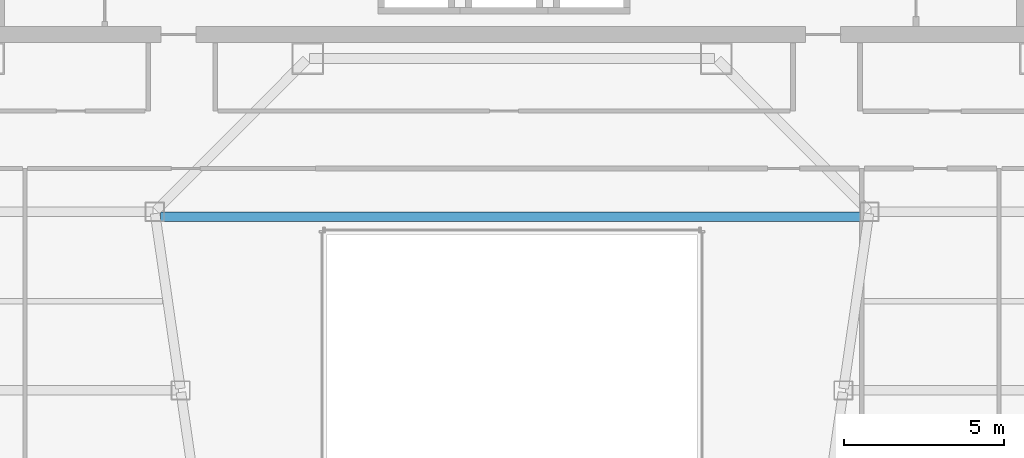
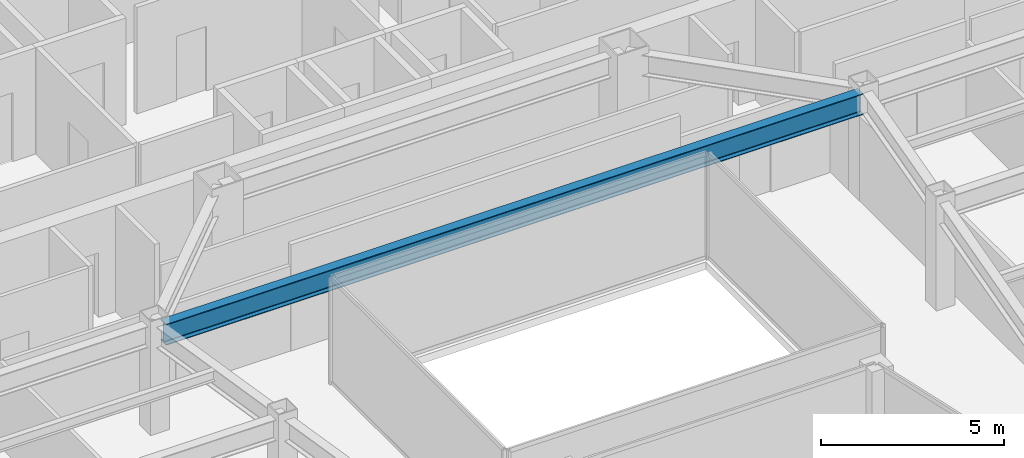
# One storey, part 12 of 36: 1 beam.
"""IFC4 building model written with IfcOpenShell, lengths in metres."""

from ifc_helpers import new_model, si_unit, direction, frame, origin, origin_2d, place, context, subcontext, project, spatial, i_section, extrude, material, material_profile, profile_set, type_object, element, save


model = new_model("IFC4")

# Units and contexts
model_context = context("Model", 3, precision=1e-05, world=origin(), true_north=direction((0.0, 1.0)))
body_context = subcontext(model_context, "Body", "Model", "MODEL_VIEW")
ifc_project = project(units=[si_unit("LENGTHUNIT", "METRE"), si_unit("AREAUNIT", "SQUARE_METRE"), si_unit("VOLUMEUNIT", "CUBIC_METRE"), si_unit("PLANEANGLEUNIT", "RADIAN"), si_unit("MASSUNIT", "GRAM", prefix="KILO")], contexts=[model_context])

# Site, building, storey
site_placement = place(None, origin())
site = spatial("IfcSite", under=ifc_project, at=site_placement, CompositionType="ELEMENT")
building_placement = place(site_placement, origin())
building = spatial("IfcBuilding", under=site, at=building_placement, Name="Saevonmaru Cultural Tower", CompositionType="ELEMENT")
storey_placement = place(building_placement, frame((0.0, 0.0, 171.39990234375)))
storey = spatial("IfcBuildingStorey", under=building, at=storey_placement, Name="L38", CompositionType="ELEMENT", Elevation=171.39990234375)

# Beam
ifc_material = material(Name="Steel SM355", Category="steel")
ifc_material_profile = material_profile(ifc_material, i_section(OverallWidth=0.300048828125, OverallDepth=0.699951171875, WebThickness=0.012939453125, FlangeThickness=0.02392578125, FilletRadius=0.02587890625, at=origin_2d()), Name="H-700x300x13x24")
ifc_profile_set = profile_set([ifc_material_profile], Name="Steel SM355")
beam_type = type_object("IfcBeamType", Name="BM-G-H700", PredefinedType="BEAM", material=ifc_profile_set)
beam_placement = place(storey_placement, frame((18.989013671875, 37.43994140625, 3.2001953125), z_axis=(1.0, 0.0, 0.0), x_axis=(0.0, 1.0, 0.0)))
element("IfcBeam", 1, at=beam_placement, inside=storey, type_object=beam_type, Name="L38 Central Link Girder", PredefinedType="BEAM", context=body_context, shape_type="SweptSolid", body=[
    extrude(i_section(OverallWidth=0.300048828125, OverallDepth=0.699951171875, WebThickness=0.012939453125, FlangeThickness=0.02392578125, FilletRadius=0.02587890625, at=origin_2d()), origin(), (0.0, 0.0, 1.0), 22.02197265625),
])

save(model, "model.ifc")
